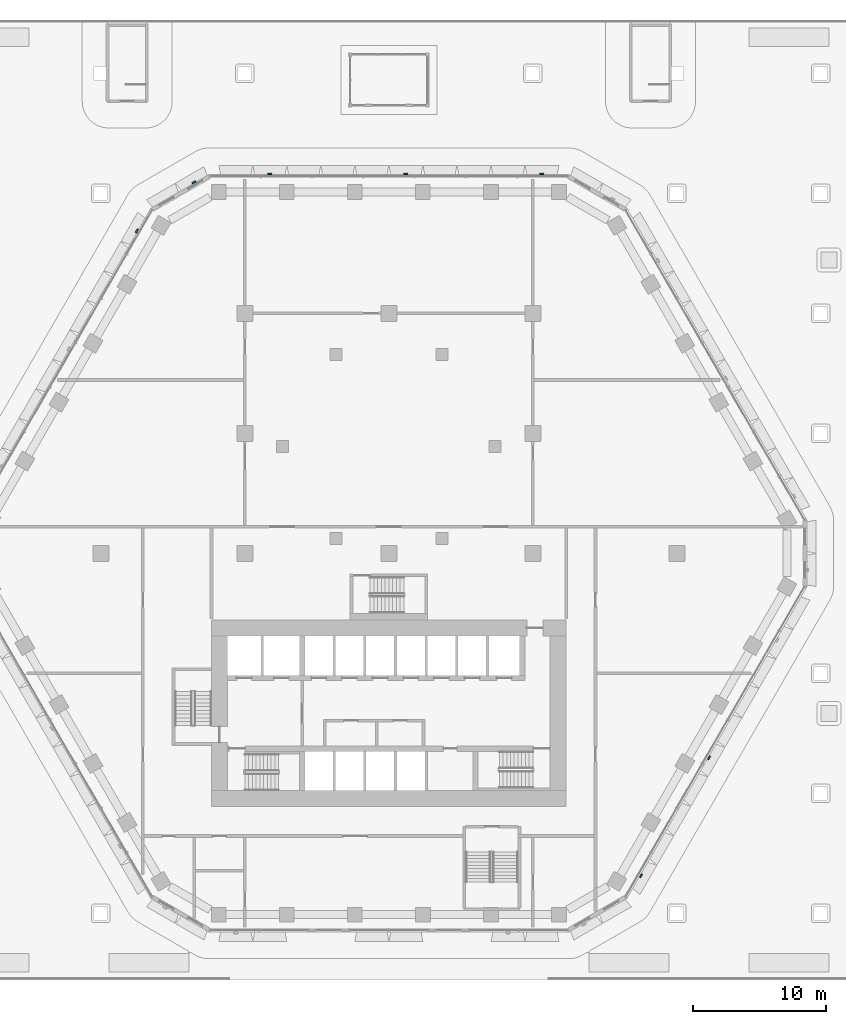
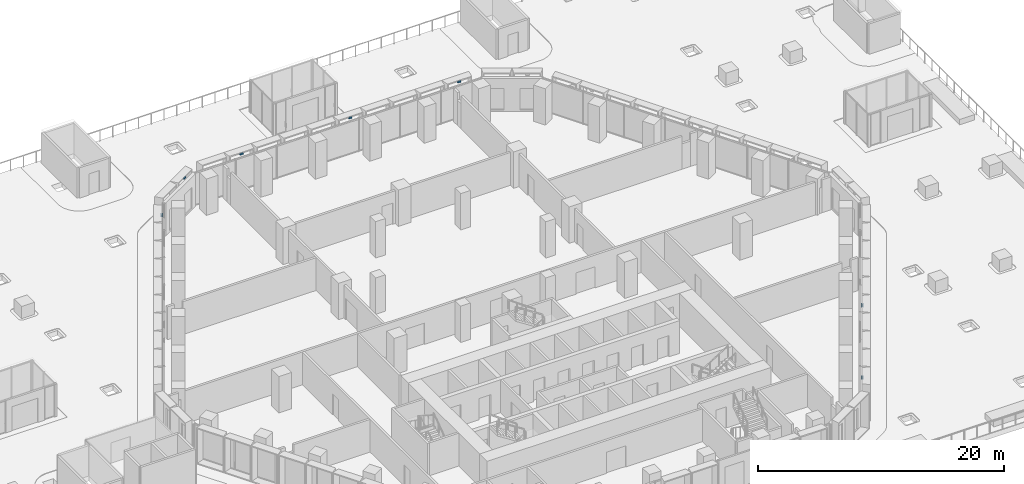
# One storey, part 27 of 38: 7 discrete accessories.
"""IFC4 building model written with IfcOpenShell, lengths in metres."""

from ifc_helpers import new_model, si_unit, direction, frame, origin, place, context, subcontext, project, spatial, polyline, outline, extrude, source, transform, mapped, material, type_object, type_shapes, element, save


model = new_model("IFC4")

# Units and contexts
model_context = context("Model", 3, precision=1e-05, world=origin(), true_north=direction((0.0, 1.0)))
body_context = subcontext(model_context, "Body", "Model", "MODEL_VIEW")
ifc_project = project(units=[si_unit("LENGTHUNIT", "METRE"), si_unit("AREAUNIT", "SQUARE_METRE"), si_unit("VOLUMEUNIT", "CUBIC_METRE"), si_unit("PLANEANGLEUNIT", "RADIAN"), si_unit("MASSUNIT", "GRAM", prefix="KILO")], contexts=[model_context])

# Site, building, storey
site_placement = place(None, origin())
site = spatial("IfcSite", under=ifc_project, at=site_placement, CompositionType="ELEMENT")
building_placement = place(site_placement, origin())
building = spatial("IfcBuilding", under=site, at=building_placement, Name="Beryl Residences", CompositionType="ELEMENT")
storey_placement = place(building_placement, frame((0.0, 0.0, 9.0)))
storey = spatial("IfcBuildingStorey", under=building, at=storey_placement, Name="L02", CompositionType="ELEMENT", Elevation=9.0)

# Discrete accessories
ifc_material = material(Name="Steel S355", Category="steel")
discrete_accessory_type = type_object("IfcDiscreteAccessoryType", Name="BR1 frame bracket 300 x 120 x 150 mm", PredefinedType="BRACKET", material=ifc_material)
shared_shape = source(origin(), body_context, "Body", "SweptSolid", [
    extrude(outline(polyline([(-0.14990234375, 0.0), (0.14990234375, 0.0), (0.14990234375, 0.1201171875), (-0.14990234375, 0.1201171875), (-0.14990234375, 0.0)])), origin(), (0.0, 0.0, 1.0), 0.14990234375),
])
type_shapes(discrete_accessory_type, [shared_shape])
for number, where, z_axis, x_axis, name in (
    (1, (11.48291015625, 28.39990234375, 3.35009765625), (0.0, 0.0, 1.0), (1.0, 0.0, 0.0), "BR1 bracket L02 N 1"),
    (2, (1.27490234375, 28.39990234375, 3.35009765625), (0.0, 0.0, 1.0), (1.0, 0.0, 0.0), "BR1 bracket L02 N 5"),
    (3, (-8.93310546875, 28.39990234375, 3.35009765625), (0.0, 0.0, 1.0), (1.0, 0.0, 0.0), "BR1 bracket L02 N 9"),
    (4, (-14.593017578125, 27.77490234375, 3.35009765625), (0.0, 0.0, 1.0), (0.866025403784, 0.5, 0.0), "BR1 bracket L02 N-NW 1"),
    (5, (-18.85400390625, 24.14501953125, 3.35009765625), (0.0, 0.0, 1.0), (0.5, 0.866025403784, 0.0), "BR1 bracket L02 NW 1"),
    (6, (18.85400390625, -24.14501953125, 3.35009765625), (0.0, 0.0, 1.0), (-0.5, -0.866025403784, 0.0), "BR1 bracket L02 SE 1"),
    (7, (23.9580078125, -15.303955078125, 3.35009765625), (0.0, 0.0, 1.0), (-0.5, -0.866025403784, 0.0), "BR1 bracket L02 SE 5"),
):
    element("IfcDiscreteAccessory", number, at=place(storey_placement, frame(where, z_axis=z_axis, x_axis=x_axis)), inside=storey, type_object=discrete_accessory_type, Name=name, PredefinedType="BRACKET", context=body_context, shape_type="MappedRepresentation", body=[
        mapped(shared_shape, transform((0.0, 0.0, 0.0))),
    ])

save(model, "model.ifc")
